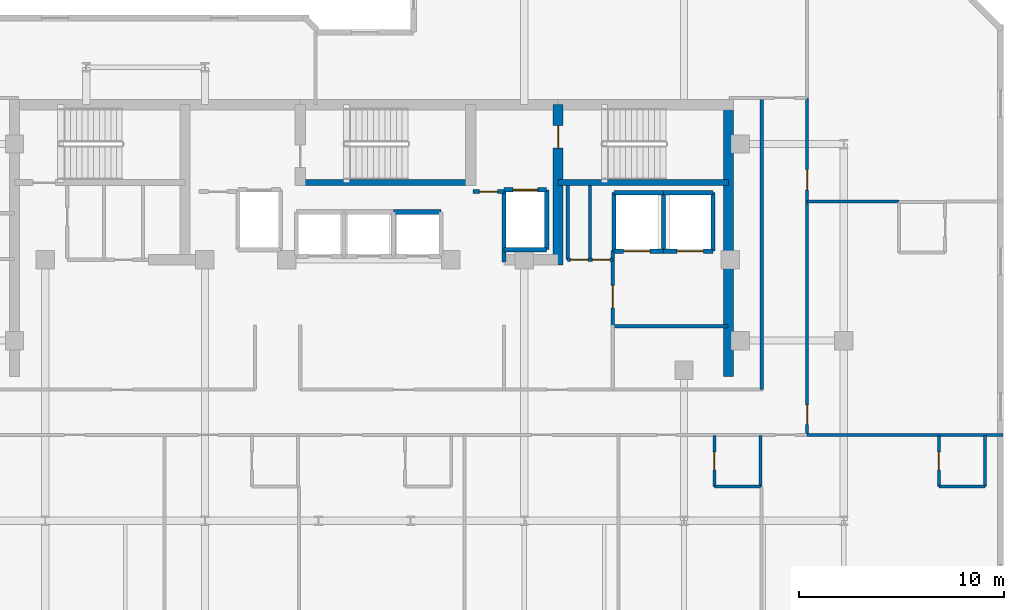
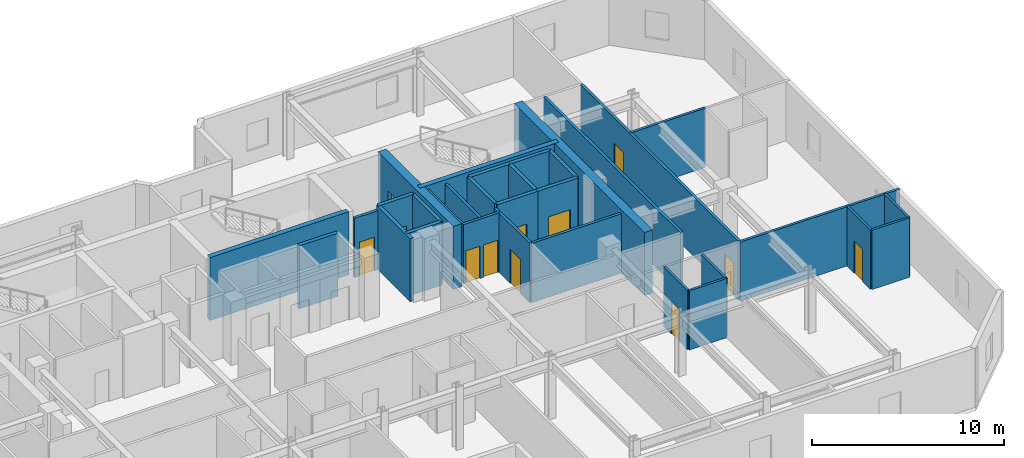
# One storey, part 6 of 10: 32 walls, 12 doors, 12 openings.
"""IFC4 building model written with IfcOpenShell, lengths in metres."""

from ifc_helpers import new_model, si_unit, direction, frame, frame_2d, origin, place, context, subcontext, project, spatial, rectangle, extrude, material, layer, layer_set, type_object, element, fill, save


model = new_model("IFC4")

# Units and contexts
model_context = context("Model", 3, precision=1e-05, world=origin(), true_north=direction((0.0, 1.0)))
body_context = subcontext(model_context, "Body", "Model", "MODEL_VIEW")
ifc_project = project(units=[si_unit("LENGTHUNIT", "METRE"), si_unit("AREAUNIT", "SQUARE_METRE"), si_unit("VOLUMEUNIT", "CUBIC_METRE"), si_unit("PLANEANGLEUNIT", "RADIAN"), si_unit("MASSUNIT", "GRAM", prefix="KILO")], contexts=[model_context])

# Site, building, storey
site_placement = place(None, origin())
site = spatial("IfcSite", under=ifc_project, at=site_placement, CompositionType="ELEMENT")
building_placement = place(site_placement, origin())
building = spatial("IfcBuilding", under=site, at=building_placement, Name="Kestravale Grand Hotel", CompositionType="ELEMENT")
storey_placement = place(building_placement, frame((0.0, 0.0, 273.39990234375)))
storey = spatial("IfcBuildingStorey", under=building, at=storey_placement, Name="L68", CompositionType="ELEMENT", Elevation=273.39990234375)

# Wall
ifc_material_1 = material(Name="Concrete f'c 50 MPa", Category="concrete")
ifc_layer_1 = layer(ifc_material_1, 0.5)
ifc_layer_set_1 = layer_set([ifc_layer_1], Name="EW-CORE-500")
wall_type_1 = type_object("IfcWallType", Name="EW-CORE-500", PredefinedType="SHEAR", material=ifc_layer_set_1)
wall_1_placement = place(storey_placement, frame((56.77001953125, 27.050048828125, 0.0), z_axis=(0.0, 0.0, 1.0), x_axis=(0.0, 1.0, 0.0)))
element("IfcWall", 1, at=wall_1_placement, inside=storey, type_object=wall_type_1, Name="L68 core shear wall E1", PredefinedType="SHEAR", context=body_context, shape_type="SweptSolid", body=[
    extrude(rectangle(XDim=13.52001953125, YDim=0.5, at=frame_2d((6.760009765625, 0.0))), origin(), (0.0, 0.0, 1.0), 4.0),
])

# Wall, opening, door
wall_2_placement = place(storey_placement, frame((48.449951171875, 32.5, 0.0), z_axis=(0.0, 0.0, 1.0), x_axis=(0.0, 1.0, 0.0)))
wall_2 = element("IfcWall", 2, at=wall_2_placement, inside=storey, type_object=wall_type_1, Name="L68 core shear wall X4", PredefinedType="SHEAR", context=body_context, shape_type="SweptSolid", body=[
    extrude(rectangle(XDim=7.820068359375, YDim=0.5, at=frame_2d((3.91015625, 0.0))), origin(), (0.0, 0.0, 1.0), 4.0),
])
opening_1_placement = place(wall_2_placement, frame((5.699951171875, 0.0, 0.0)))
opening_1 = element("IfcOpeningElement", 3, at=opening_1_placement, cuts=wall_2, Name="Opening D-ST-1100", PredefinedType="OPENING", context=body_context, shape_type="SweptSolid", body=[
    extrude(rectangle(XDim=1.10009765625, YDim=2.14990234375, at=frame_2d((0.550048828125, 1.074951171875))), frame((0.0, 0.260009765625, 0.0), z_axis=(0.0, -1.0, 0.0), x_axis=(1.0, 0.0, 0.0)), (0.0, 0.0, 1.0), 0.52001953125),
])
ifc_material_2 = material(Name="Galvanised 90-minute fire-rated steel stair door", Category="steel")
door_type_1 = type_object("IfcDoorType", Name="D-ST-1100", OperationType="NOTDEFINED", PredefinedType="DOOR", material=ifc_material_2)
door_1_placement = place(opening_1_placement, origin())
door_1 = element("IfcDoor", 4, at=door_1_placement, inside=storey, type_object=door_type_1, Name="L68 Stair ST-3 FSAE fire door", OperationType="SINGLE_SWING_RIGHT", OverallHeight=2.14990234375, OverallWidth=1.10009765625, PredefinedType="DOOR", context=body_context, shape_type="SweptSolid", body=[
    extrude(rectangle(XDim=1.10009765625, YDim=2.14990234375, at=frame_2d((0.550048828125, 1.074951171875))), frame((0.0, 0.02490234375, 0.0), z_axis=(0.0, -1.0, 0.0), x_axis=(1.0, 0.0, 0.0)), (0.0, 0.0, 1.0), 0.050048828125),
])
fill(opening_1, door_1)

# Walls
ifc_material_3 = material(Name="Concrete f'c 45 MPa", Category="concrete")
ifc_layer_2 = layer(ifc_material_3, 0.300048828125)
ifc_layer_set_2 = layer_set([ifc_layer_2], Name="EW-STAIR-300")
wall_type_2 = type_object("IfcWallType", Name="EW-STAIR-300", PredefinedType="SHEAR", material=ifc_layer_set_2)
wall_3_placement = place(storey_placement, frame((35.85009765625, 36.52001953125, 0.0), z_axis=(0.0, 0.0, 1.0), x_axis=(1.0, 0.0, 0.0)))
element("IfcWall", 5, at=wall_3_placement, inside=storey, type_object=wall_type_2, Name="L68 stair enclosure shear wall SST2", PredefinedType="SHEAR", context=body_context, shape_type="SweptSolid", body=[
    extrude(rectangle(XDim=8.329833984375, YDim=0.300048828125, at=frame_2d((4.1650390625, 0.0))), origin(), (0.0, 0.0, 1.0), 4.0),
])
wall_4_placement = place(storey_placement, frame((48.449951171875, 36.52001953125, 0.0), z_axis=(0.0, 0.0, 1.0), x_axis=(1.0, 0.0, 0.0)))
element("IfcWall", 6, at=wall_4_placement, inside=storey, type_object=wall_type_2, Name="L68 stair enclosure shear wall SST3", PredefinedType="SHEAR", context=body_context, shape_type="SweptSolid", body=[
    extrude(rectangle(XDim=8.320068359375, YDim=0.300048828125, at=frame_2d((4.16015625, 0.0))), origin(), (0.0, 0.0, 1.0), 4.0),
])

# Wall, opening, door
ifc_material_4 = material(Name="Acoustic fire-rated gypsum board partition", Category="other")
ifc_layer_3 = layer(ifc_material_4, 0.159912109375)
ifc_layer_set_3 = layer_set([ifc_layer_3], Name="IW-CORR-160")
wall_type_3 = type_object("IfcWallType", Name="IW-CORR-160", PredefinedType="PARTITIONING", material=ifc_layer_set_3)
wall_5_placement = place(storey_placement, frame((51.1201171875, 29.5, 0.0), z_axis=(0.0, 0.0, 1.0), x_axis=(0.0, 1.0, 0.0)))
wall_5 = element("IfcWall", 7, at=wall_5_placement, inside=storey, type_object=wall_type_3, Name="W-L68-SVCLOB-W", PredefinedType="PARTITIONING", context=body_context, shape_type="SweptSolid", body=[
    extrude(rectangle(XDim=3.699951171875, YDim=0.159912109375, at=frame_2d((1.85009765625, 0.0))), origin(), (0.0, 0.0, 1.0), 3.760009765625),
])
opening_2_placement = place(wall_5_placement, frame((0.89990234375, 0.0, 0.0)))
opening_2 = element("IfcOpeningElement", 8, at=opening_2_placement, cuts=wall_5, Name="Opening D-CORR-1100", PredefinedType="OPENING", context=body_context, shape_type="SweptSolid", body=[
    extrude(rectangle(XDim=1.10009765625, YDim=2.14990234375, at=frame_2d((0.550048828125, 1.074951171875))), frame((0.0, 0.08984375, 0.0), z_axis=(0.0, -1.0, 0.0), x_axis=(1.0, 0.0, 0.0)), (0.0, 0.0, 1.0), 0.179931640625),
])
ifc_material_5 = material(Name="Single-leaf service vestibule fire door", Category="steel")
door_type_2 = type_object("IfcDoorType", Name="D-CORR-1100", OperationType="NOTDEFINED", PredefinedType="DOOR", material=ifc_material_5)
door_2_placement = place(opening_2_placement, origin())
door_2 = element("IfcDoor", 9, at=door_2_placement, inside=storey, type_object=door_type_2, Name="L68 service lift lobby door", OperationType="SINGLE_SWING_LEFT", OverallHeight=2.14990234375, OverallWidth=1.10009765625, PredefinedType="DOOR", context=body_context, shape_type="SweptSolid", body=[
    extrude(rectangle(XDim=1.10009765625, YDim=2.14990234375, at=frame_2d((0.550048828125, 1.074951171875))), frame((0.0, 0.02490234375, 0.0), z_axis=(0.0, -1.0, 0.0), x_axis=(1.0, 0.0, 0.0)), (0.0, 0.0, 1.0), 0.050048828125),
])
fill(opening_2, door_2)

# Wall
wall_6_placement = place(storey_placement, frame((51.1201171875, 29.5, 0.0), z_axis=(0.0, 0.0, 1.0), x_axis=(1.0, 0.0, 0.0)))
element("IfcWall", 10, at=wall_6_placement, inside=storey, type_object=wall_type_3, Name="L68 service lift lobby wall", PredefinedType="PARTITIONING", context=body_context, shape_type="SweptSolid", body=[
    extrude(rectangle(XDim=5.6298828125, YDim=0.159912109375, at=frame_2d((2.81494140625, 0.0))), origin(), (0.0, 0.0, 1.0), 3.760009765625),
])

# Wall, openings, doors
wall_7_placement = place(storey_placement, frame((48.919921875, 32.75, 0.0), z_axis=(0.0, 0.0, 1.0), x_axis=(1.0, 0.0, 0.0)))
wall_7 = element("IfcWall", 11, at=wall_7_placement, inside=storey, type_object=wall_type_3, Name="W-L68-CES", PredefinedType="PARTITIONING", context=body_context, shape_type="SweptSolid", body=[
    extrude(rectangle(XDim=2.2001953125, YDim=0.159912109375, at=frame_2d((1.10009765625, 0.0))), origin(), (0.0, 0.0, 1.0), 3.760009765625),
])
opening_3_placement = place(wall_7_placement, frame((0.139892578125, 0.0, 0.0)))
opening_3 = element("IfcOpeningElement", 12, at=opening_3_placement, cuts=wall_7, Name="Opening D-SH-860", PredefinedType="OPENING", context=body_context, shape_type="SweptSolid", body=[
    extrude(rectangle(XDim=0.860107421875, YDim=2.050048828125, at=frame_2d((0.43017578125, 1.02490234375))), frame((0.0, 0.08984375, 0.0), z_axis=(0.0, -1.0, 0.0), x_axis=(1.0, 0.0, 0.0)), (0.0, 0.0, 1.0), 0.179931640625),
])
opening_4_placement = place(wall_7_placement, frame((1.199951171875, 0.0, 0.0)))
opening_4 = element("IfcOpeningElement", 13, at=opening_4_placement, cuts=wall_7, Name="Opening D-SH-860", PredefinedType="OPENING", context=body_context, shape_type="SweptSolid", body=[
    extrude(rectangle(XDim=0.860107421875, YDim=2.050048828125, at=frame_2d((0.43017578125, 1.02490234375))), frame((0.0, 0.08984375, 0.0), z_axis=(0.0, -1.0, 0.0), x_axis=(1.0, 0.0, 0.0)), (0.0, 0.0, 1.0), 0.179931640625),
])
ifc_material_6 = material(Name="Galvanised 90-minute riser fire door", Category="steel")
door_type_3 = type_object("IfcDoorType", Name="D-SH-860", OperationType="NOTDEFINED", PredefinedType="DOOR", material=ifc_material_6)
door_3_placement = place(opening_3_placement, origin())
door_3 = element("IfcDoor", 14, at=door_3_placement, inside=storey, type_object=door_type_3, Name="L68 CSTO1 door", OperationType="SINGLE_SWING_LEFT", OverallHeight=2.050048828125, OverallWidth=0.860107421875, PredefinedType="DOOR", context=body_context, shape_type="SweptSolid", body=[
    extrude(rectangle(XDim=0.860107421875, YDim=2.050048828125, at=frame_2d((0.43017578125, 1.02490234375))), frame((0.0, 0.02490234375, 0.0), z_axis=(0.0, -1.0, 0.0), x_axis=(1.0, 0.0, 0.0)), (0.0, 0.0, 1.0), 0.050048828125),
])
fill(opening_3, door_3)
door_4_placement = place(opening_4_placement, origin())
door_4 = element("IfcDoor", 15, at=door_4_placement, inside=storey, type_object=door_type_3, Name="L68 CSTO2 door", OperationType="SINGLE_SWING_RIGHT", OverallHeight=2.050048828125, OverallWidth=0.860107421875, PredefinedType="DOOR", context=body_context, shape_type="SweptSolid", body=[
    extrude(rectangle(XDim=0.860107421875, YDim=2.050048828125, at=frame_2d((0.43017578125, 1.02490234375))), frame((0.0, 0.02490234375, 0.0), z_axis=(0.0, -1.0, 0.0), x_axis=(1.0, 0.0, 0.0)), (0.0, 0.0, 1.0), 0.050048828125),
])
fill(opening_4, door_4)

wall_8_placement = place(storey_placement, frame((60.610107421875, 24.25, 0.0), z_axis=(0.0, 0.0, 1.0), x_axis=(0.0, 1.0, 0.0)))
wall_8 = element("IfcWall", 16, at=wall_8_placement, inside=storey, type_object=wall_type_3, Name="W-L68-SE-E", PredefinedType="PARTITIONING", context=body_context, shape_type="SweptSolid", body=[
    extrude(rectangle(XDim=16.39990234375, YDim=0.159912109375, at=frame_2d((8.199951171875, 0.0))), origin(), (0.0, 0.0, 1.0), 3.760009765625),
])
opening_5_placement = place(wall_8_placement, frame((0.4599609375, 0.0, 0.0)))
opening_5 = element("IfcOpeningElement", 17, at=opening_5_placement, cuts=wall_8, Name="Opening D-GUEST-950", PredefinedType="OPENING", context=body_context, shape_type="SweptSolid", body=[
    extrude(rectangle(XDim=0.949951171875, YDim=2.10009765625, at=frame_2d((0.47509765625, 1.050048828125))), frame((0.0, 0.08984375, 0.0), z_axis=(0.0, -1.0, 0.0), x_axis=(1.0, 0.0, 0.0)), (0.0, 0.0, 1.0), 0.179931640625),
])
opening_6_placement = place(wall_8_placement, frame((11.89990234375, 0.0, 0.0)))
opening_6 = element("IfcOpeningElement", 18, at=opening_6_placement, cuts=wall_8, Name="Opening D-GUEST-1000", PredefinedType="OPENING", context=body_context, shape_type="SweptSolid", body=[
    extrude(rectangle(XDim=1.0, YDim=2.14990234375, at=frame_2d((0.5, 1.074951171875))), frame((0.0, 0.08984375, 0.0), z_axis=(0.0, -1.0, 0.0), x_axis=(1.0, 0.0, 0.0)), (0.0, 0.0, 1.0), 0.179931640625),
])
ifc_material_7 = material(Name="Accessible walnut veneer hotel entrance fire door", Category="wood")
door_type_4 = type_object("IfcDoorType", Name="D-GUEST-1000", OperationType="NOTDEFINED", PredefinedType="DOOR", material=ifc_material_7)
door_5_placement = place(opening_6_placement, origin())
door_5 = element("IfcDoor", 19, at=door_5_placement, inside=storey, type_object=door_type_4, Name="D-L68-AMEW", OperationType="SINGLE_SWING_LEFT", OverallHeight=2.14990234375, OverallWidth=1.0, PredefinedType="DOOR", context=body_context, shape_type="SweptSolid", body=[
    extrude(rectangle(XDim=1.0, YDim=2.14990234375, at=frame_2d((0.5, 1.074951171875))), frame((0.0, 0.02490234375, 0.0), z_axis=(0.0, -1.0, 0.0), x_axis=(1.0, 0.0, 0.0)), (0.0, 0.0, 1.0), 0.050048828125),
])
fill(opening_6, door_5)
ifc_material_8 = material(Name="Walnut veneer hotel guestroom entrance fire door", Category="wood")
door_type_5 = type_object("IfcDoorType", Name="D-GUEST-950", OperationType="NOTDEFINED", PredefinedType="DOOR", material=ifc_material_8)
door_6_placement = place(opening_5_placement, origin())
door_6 = element("IfcDoor", 20, at=door_6_placement, inside=storey, type_object=door_type_5, Name="D-L68-U08-ENT", OperationType="SINGLE_SWING_RIGHT", OverallHeight=2.10009765625, OverallWidth=0.949951171875, PredefinedType="DOOR", context=body_context, shape_type="SweptSolid", body=[
    extrude(rectangle(XDim=0.949951171875, YDim=2.10009765625, at=frame_2d((0.47509765625, 1.050048828125))), frame((0.0, 0.02490234375, 0.0), z_axis=(0.0, -1.0, 0.0), x_axis=(1.0, 0.0, 0.0)), (0.0, 0.0, 1.0), 0.050048828125),
])
fill(opening_5, door_6)

# Wall
wall_9_placement = place(storey_placement, frame((58.389892578125, 26.409912109375, 0.0), z_axis=(0.0, 0.0, 1.0), x_axis=(0.0, 1.0, 0.0)))
element("IfcWall", 21, at=wall_9_placement, inside=storey, type_object=wall_type_3, Name="W-L68-SE-WU", PredefinedType="PARTITIONING", context=body_context, shape_type="SweptSolid", body=[
    extrude(rectangle(XDim=14.239990234375, YDim=0.159912109375, at=frame_2d((7.1201171875, 0.0))), origin(), (0.0, 0.0, 1.0), 3.760009765625),
])

# Wall, opening, door
ifc_material_9 = material(Name="Fire-rated gypsum board on steel studs with mineral wool", Category="steel")
ifc_layer_4 = layer(ifc_material_9, 0.179931640625)
ifc_layer_set_4 = layer_set([ifc_layer_4], Name="IW-FSAE-180")
wall_type_4 = type_object("IfcWallType", Name="IW-FSAE-180", PredefinedType="PARTITIONING", material=ifc_layer_set_4)
wall_10_placement = place(storey_placement, frame((44.300048828125, 36.080078125, 0.0), z_axis=(0.0, 0.0, 1.0), x_axis=(1.0, 0.0, 0.0)))
wall_10 = element("IfcWall", 22, at=wall_10_placement, inside=storey, type_object=wall_type_4, Name="L68 FSAE Lobby 2 smoke barrier", PredefinedType="PARTITIONING", context=body_context, shape_type="SweptSolid", body=[
    extrude(rectangle(XDim=1.5, YDim=0.179931640625, at=frame_2d((0.75, 0.0))), origin(), (0.0, 0.0, 1.0), 3.760009765625),
])
opening_7_placement = place(wall_10_placement, frame((0.300048828125, 0.0, 0.0)))
opening_7 = element("IfcOpeningElement", 23, at=opening_7_placement, cuts=wall_10, Name="Opening D-FSAE-1000", PredefinedType="OPENING", context=body_context, shape_type="SweptSolid", body=[
    extrude(rectangle(XDim=0.89990234375, YDim=2.14990234375, at=frame_2d((0.449951171875, 1.074951171875))), frame((0.0, 0.099853515625, 0.0), z_axis=(0.0, -1.0, 0.0), x_axis=(1.0, 0.0, 0.0)), (0.0, 0.0, 1.0), 0.199951171875),
])
ifc_material_10 = material(Name="Smoke-gasketed FSAE lobby fire door", Category="steel")
door_type_6 = type_object("IfcDoorType", Name="D-FSAE-1000", OperationType="NOTDEFINED", PredefinedType="DOOR", material=ifc_material_10)
door_7_placement = place(opening_7_placement, origin())
door_7 = element("IfcDoor", 24, at=door_7_placement, inside=storey, type_object=door_type_6, Name="L68 FSAE Lobby 2 fire door", OperationType="SINGLE_SWING_LEFT", OverallHeight=2.14990234375, OverallWidth=0.89990234375, PredefinedType="DOOR", context=body_context, shape_type="SweptSolid", body=[
    extrude(rectangle(XDim=0.89990234375, YDim=2.14990234375, at=frame_2d((0.449951171875, 1.074951171875))), frame((0.0, 0.02490234375, 0.0), z_axis=(0.0, -1.0, 0.0), x_axis=(1.0, 0.0, 0.0)), (0.0, 0.0, 1.0), 0.050048828125),
])
fill(opening_7, door_7)

ifc_material_11 = material(Name="Moisture-resistant tile-backer plumbing chase wall", Category="other")
ifc_layer_5 = layer(ifc_material_11, 0.139892578125)
ifc_layer_set_5 = layer_set([ifc_layer_5], Name="IW-PLB-140")
wall_type_5 = type_object("IfcWallType", Name="IW-PLB-140", PredefinedType="PLUMBINGWALL", material=ifc_layer_set_5)
wall_11_placement = place(storey_placement, frame((56.080078125, 21.679931640625, 0.0), z_axis=(0.0, 0.0, 1.0), x_axis=(0.0, 1.0, 0.0)))
wall_11 = element("IfcWall", 25, at=wall_11_placement, inside=storey, type_object=wall_type_5, Name="W-L68-U03-BW", PredefinedType="PLUMBINGWALL", context=body_context, shape_type="SweptSolid", body=[
    extrude(rectangle(XDim=2.489990234375, YDim=0.139892578125, at=frame_2d((1.2451171875, 0.0))), origin(), (0.0, 0.0, 1.0), 3.760009765625),
])
opening_8_placement = place(wall_11_placement, frame((0.804931640625, 0.0, 0.0)))
opening_8 = element("IfcOpeningElement", 26, at=opening_8_placement, cuts=wall_11, Name="Opening D-BATH-880", PredefinedType="OPENING", context=body_context, shape_type="SweptSolid", body=[
    extrude(rectangle(XDim=0.8798828125, YDim=2.050048828125, at=frame_2d((0.43994140625, 1.02490234375))), frame((0.0, 0.079833984375, 0.0), z_axis=(0.0, -1.0, 0.0), x_axis=(1.0, 0.0, 0.0)), (0.0, 0.0, 1.0), 0.159912109375),
])
ifc_material_12 = material(Name="Moisture-sealed walnut en-suite bathroom door", Category="wood")
door_type_7 = type_object("IfcDoorType", Name="D-BATH-880", OperationType="NOTDEFINED", PredefinedType="DOOR", material=ifc_material_12)
door_8_placement = place(opening_8_placement, origin())
door_8 = element("IfcDoor", 27, at=door_8_placement, inside=storey, type_object=door_type_7, Name="D-L68-U03-BATH", OperationType="SINGLE_SWING_RIGHT", OverallHeight=2.050048828125, OverallWidth=0.8798828125, PredefinedType="DOOR", context=body_context, shape_type="SweptSolid", body=[
    extrude(rectangle(XDim=0.8798828125, YDim=2.050048828125, at=frame_2d((0.43994140625, 1.02490234375))), frame((0.0, 0.02490234375, 0.0), z_axis=(0.0, -1.0, 0.0), x_axis=(1.0, 0.0, 0.0)), (0.0, 0.0, 1.0), 0.050048828125),
])
fill(opening_8, door_8)

# Walls
wall_12_placement = place(storey_placement, frame((58.330078125, 21.679931640625, 0.0), z_axis=(0.0, 0.0, 1.0), x_axis=(0.0, 1.0, 0.0)))
element("IfcWall", 28, at=wall_12_placement, inside=storey, type_object=wall_type_5, Name="W-L68-U03-BE", PredefinedType="PLUMBINGWALL", context=body_context, shape_type="SweptSolid", body=[
    extrude(rectangle(XDim=2.489990234375, YDim=0.139892578125, at=frame_2d((1.2451171875, 0.0))), origin(), (0.0, 0.0, 1.0), 3.760009765625),
])
wall_13_placement = place(storey_placement, frame((56.080078125, 21.679931640625, 0.0), z_axis=(0.0, 0.0, 1.0), x_axis=(1.0, 0.0, 0.0)))
element("IfcWall", 29, at=wall_13_placement, inside=storey, type_object=wall_type_5, Name="W-L68-U03-BS", PredefinedType="PLUMBINGWALL", context=body_context, shape_type="SweptSolid", body=[
    extrude(rectangle(XDim=2.25, YDim=0.139892578125, at=frame_2d((1.125, 0.0))), origin(), (0.0, 0.0, 1.0), 3.760009765625),
])

# Wall, opening, door
wall_14_placement = place(storey_placement, frame((67.050048828125, 21.679931640625, 0.0), z_axis=(0.0, 0.0, 1.0), x_axis=(0.0, 1.0, 0.0)))
wall_14 = element("IfcWall", 30, at=wall_14_placement, inside=storey, type_object=wall_type_5, Name="W-L68-U07-BW", PredefinedType="PLUMBINGWALL", context=body_context, shape_type="SweptSolid", body=[
    extrude(rectangle(XDim=2.489990234375, YDim=0.139892578125, at=frame_2d((1.2451171875, 0.0))), origin(), (0.0, 0.0, 1.0), 3.760009765625),
])
opening_9_placement = place(wall_14_placement, frame((0.804931640625, 0.0, 0.0)))
opening_9 = element("IfcOpeningElement", 31, at=opening_9_placement, cuts=wall_14, Name="Opening D-BATH-880", PredefinedType="OPENING", context=body_context, shape_type="SweptSolid", body=[
    extrude(rectangle(XDim=0.8798828125, YDim=2.050048828125, at=frame_2d((0.43994140625, 1.02490234375))), frame((0.0, 0.079833984375, 0.0), z_axis=(0.0, -1.0, 0.0), x_axis=(1.0, 0.0, 0.0)), (0.0, 0.0, 1.0), 0.159912109375),
])
door_9_placement = place(opening_9_placement, origin())
door_9 = element("IfcDoor", 32, at=door_9_placement, inside=storey, type_object=door_type_7, Name="D-L68-U07-BATH", OperationType="SINGLE_SWING_LEFT", OverallHeight=2.050048828125, OverallWidth=0.8798828125, PredefinedType="DOOR", context=body_context, shape_type="SweptSolid", body=[
    extrude(rectangle(XDim=0.8798828125, YDim=2.050048828125, at=frame_2d((0.43994140625, 1.02490234375))), frame((0.0, 0.02490234375, 0.0), z_axis=(0.0, -1.0, 0.0), x_axis=(1.0, 0.0, 0.0)), (0.0, 0.0, 1.0), 0.050048828125),
])
fill(opening_9, door_9)

# Walls
wall_15_placement = place(storey_placement, frame((69.300048828125, 21.679931640625, 0.0), z_axis=(0.0, 0.0, 1.0), x_axis=(0.0, 1.0, 0.0)))
element("IfcWall", 33, at=wall_15_placement, inside=storey, type_object=wall_type_5, Name="W-L68-U07-BE", PredefinedType="PLUMBINGWALL", context=body_context, shape_type="SweptSolid", body=[
    extrude(rectangle(XDim=2.489990234375, YDim=0.139892578125, at=frame_2d((1.2451171875, 0.0))), origin(), (0.0, 0.0, 1.0), 3.760009765625),
])
wall_16_placement = place(storey_placement, frame((67.050048828125, 21.679931640625, 0.0), z_axis=(0.0, 0.0, 1.0), x_axis=(1.0, 0.0, 0.0)))
element("IfcWall", 34, at=wall_16_placement, inside=storey, type_object=wall_type_5, Name="W-L68-U07-BS", PredefinedType="PLUMBINGWALL", context=body_context, shape_type="SweptSolid", body=[
    extrude(rectangle(XDim=2.25, YDim=0.139892578125, at=frame_2d((1.125, 0.0))), origin(), (0.0, 0.0, 1.0), 3.760009765625),
])
ifc_material_13 = material(Name="Concrete f'c 45 MPa", Category="concrete")
ifc_layer_6 = layer(ifc_material_13, 0.199951171875)
ifc_layer_set_6 = layer_set([ifc_layer_6], Name="IW-SHAFT-200")
wall_type_6 = type_object("IfcWallType", Name="IW-SHAFT-200", PredefinedType="SHEAR", material=ifc_layer_set_6)
for number, where, z_axis, x_axis, name in (
    (35, (51.179931640625, 33.169921875, 0.0), (0.0, 0.0, 1.0), (0.0, 1.0, 0.0), "L68 SL-1 west shaft wall"),
    (36, (53.60009765625, 33.169921875, 0.0), (0.0, 0.0, 1.0), (0.0, 1.0, 0.0), "L68 SL-2 west shaft wall"),
    (37, (56.02001953125, 33.169921875, 0.0), (0.0, 0.0, 1.0), (0.0, 1.0, 0.0), "L68 SL-2 east shaft wall"),
):
    element("IfcWall", number, at=place(storey_placement, frame(where, z_axis=z_axis, x_axis=x_axis)), inside=storey, type_object=wall_type_6, Name=name, PredefinedType="SHEAR", context=body_context, shape_type="SweptSolid", body=[
        extrude(rectangle(XDim=2.860107421875, YDim=0.199951171875, at=frame_2d((1.43017578125, 0.0))), origin(), (0.0, 0.0, 1.0), 4.0),
    ])
wall_17_placement = place(storey_placement, frame((45.804931640625, 32.64990234375, 0.0), z_axis=(0.0, 0.0, 1.0), x_axis=(0.0, 1.0, 0.0)))
element("IfcWall", 38, at=wall_17_placement, inside=storey, type_object=wall_type_6, Name="L68 FL-2 west shaft wall", PredefinedType="SHEAR", context=body_context, shape_type="SweptSolid", body=[
    extrude(rectangle(XDim=3.505126953125, YDim=0.199951171875, at=frame_2d((1.75244140625, 0.0))), origin(), (0.0, 0.0, 1.0), 4.0),
])
wall_18_placement = place(storey_placement, frame((47.89501953125, 33.2451171875, 0.0), z_axis=(0.0, 0.0, 1.0), x_axis=(0.0, 1.0, 0.0)))
element("IfcWall", 39, at=wall_18_placement, inside=storey, type_object=wall_type_6, Name="L68 FL-2 east shaft wall", PredefinedType="SHEAR", context=body_context, shape_type="SweptSolid", body=[
    extrude(rectangle(XDim=2.909912109375, YDim=0.199951171875, at=frame_2d((1.455078125, 0.0))), origin(), (0.0, 0.0, 1.0), 4.0),
])
ifc_material_14 = material(Name="Concrete f'c 45 MPa", Category="concrete")
ifc_layer_7 = layer(ifc_material_14, 0.219970703125)
ifc_layer_set_7 = layer_set([ifc_layer_7], Name="IW-SHAFT-220")
wall_type_7 = type_object("IfcWallType", Name="IW-SHAFT-220", PredefinedType="SHEAR", material=ifc_layer_set_7)
wall_19_placement = place(storey_placement, frame((40.39990234375, 35.080078125, 0.0), z_axis=(0.0, 0.0, 1.0), x_axis=(1.0, 0.0, 0.0)))
element("IfcWall", 40, at=wall_19_placement, inside=storey, type_object=wall_type_7, Name="L68 PL-X3 north shaft wall", PredefinedType="SHEAR", context=body_context, shape_type="SweptSolid", body=[
    extrude(rectangle(XDim=2.320068359375, YDim=0.219970703125, at=frame_2d((1.16015625, 0.0))), origin(), (0.0, 0.0, 1.0), 4.0),
])
wall_20_placement = place(storey_placement, frame((51.179931640625, 36.030029296875, 0.0), z_axis=(0.0, 0.0, 1.0), x_axis=(1.0, 0.0, 0.0)))
element("IfcWall", 41, at=wall_20_placement, inside=storey, type_object=wall_type_7, Name="L68 SL-1 north shaft wall", PredefinedType="SHEAR", context=body_context, shape_type="SweptSolid", body=[
    extrude(rectangle(XDim=2.420166015625, YDim=0.219970703125, at=frame_2d((1.2099609375, 0.0))), origin(), (0.0, 0.0, 1.0), 4.0),
])

# Wall, opening, door
wall_21_placement = place(storey_placement, frame((51.179931640625, 33.169921875, 0.0), z_axis=(0.0, 0.0, 1.0), x_axis=(1.0, 0.0, 0.0)))
wall_21 = element("IfcWall", 42, at=wall_21_placement, inside=storey, type_object=wall_type_7, Name="L68 SL-1 south shaft wall", PredefinedType="SHEAR", context=body_context, shape_type="SweptSolid", body=[
    extrude(rectangle(XDim=2.420166015625, YDim=0.219970703125, at=frame_2d((1.2099609375, 0.0))), origin(), (0.0, 0.0, 1.0), 4.0),
])
opening_10_placement = place(wall_21_placement, frame((0.469970703125, 0.0, 0.0)))
opening_10 = element("IfcOpeningElement", 43, at=opening_10_placement, cuts=wall_21, Name="Opening LD-SVC-1300", PredefinedType="OPENING", context=body_context, shape_type="SweptSolid", body=[
    extrude(rectangle(XDim=1.300048828125, YDim=2.14990234375, at=frame_2d((0.64990234375, 1.074951171875))), frame((0.0, 0.119873046875, 0.0), z_axis=(0.0, -1.0, 0.0), x_axis=(1.0, 0.0, 0.0)), (0.0, 0.0, 1.0), 0.239990234375),
])
ifc_material_15 = material(Name="Heavy-duty service sliding elevator landing door", Category="steel")
door_type_8 = type_object("IfcDoorType", Name="LD-SVC-1300", OperationType="NOTDEFINED", PredefinedType="DOOR", material=ifc_material_15)
door_10_placement = place(opening_10_placement, origin())
door_10 = element("IfcDoor", 44, at=door_10_placement, inside=storey, type_object=door_type_8, Name="L68 SL-1 elevator landing sliding door", OperationType="DOUBLE_DOOR_SLIDING", OverallHeight=2.14990234375, OverallWidth=1.300048828125, PredefinedType="DOOR", context=body_context, shape_type="SweptSolid", body=[
    extrude(rectangle(XDim=1.300048828125, YDim=2.14990234375, at=frame_2d((0.64990234375, 1.074951171875))), frame((0.0, 0.02490234375, 0.0), z_axis=(0.0, -1.0, 0.0), x_axis=(1.0, 0.0, 0.0)), (0.0, 0.0, 1.0), 0.050048828125),
])
fill(opening_10, door_10)

# Wall
wall_22_placement = place(storey_placement, frame((53.60009765625, 36.030029296875, 0.0), z_axis=(0.0, 0.0, 1.0), x_axis=(1.0, 0.0, 0.0)))
element("IfcWall", 45, at=wall_22_placement, inside=storey, type_object=wall_type_7, Name="L68 SL-2 north shaft wall", PredefinedType="SHEAR", context=body_context, shape_type="SweptSolid", body=[
    extrude(rectangle(XDim=2.419921875, YDim=0.219970703125, at=frame_2d((1.2099609375, 0.0))), origin(), (0.0, 0.0, 1.0), 4.0),
])

# Wall, opening, door
wall_23_placement = place(storey_placement, frame((53.60009765625, 33.169921875, 0.0), z_axis=(0.0, 0.0, 1.0), x_axis=(1.0, 0.0, 0.0)))
wall_23 = element("IfcWall", 46, at=wall_23_placement, inside=storey, type_object=wall_type_7, Name="L68 SL-2 south shaft wall", PredefinedType="SHEAR", context=body_context, shape_type="SweptSolid", body=[
    extrude(rectangle(XDim=2.419921875, YDim=0.219970703125, at=frame_2d((1.2099609375, 0.0))), origin(), (0.0, 0.0, 1.0), 4.0),
])
opening_11_placement = place(wall_23_placement, frame((0.64990234375, 0.0, 0.0)))
opening_11 = element("IfcOpeningElement", 47, at=opening_11_placement, cuts=wall_23, Name="Opening LD-SVC-1300", PredefinedType="OPENING", context=body_context, shape_type="SweptSolid", body=[
    extrude(rectangle(XDim=1.300048828125, YDim=2.14990234375, at=frame_2d((0.64990234375, 1.074951171875))), frame((0.0, 0.119873046875, 0.0), z_axis=(0.0, -1.0, 0.0), x_axis=(1.0, 0.0, 0.0)), (0.0, 0.0, 1.0), 0.239990234375),
])
door_11_placement = place(opening_11_placement, origin())
door_11 = element("IfcDoor", 48, at=door_11_placement, inside=storey, type_object=door_type_8, Name="L68 SL-2 elevator landing sliding door", OperationType="DOUBLE_DOOR_SLIDING", OverallHeight=2.14990234375, OverallWidth=1.300048828125, PredefinedType="DOOR", context=body_context, shape_type="SweptSolid", body=[
    extrude(rectangle(XDim=1.300048828125, YDim=2.14990234375, at=frame_2d((0.64990234375, 1.074951171875))), frame((0.0, 0.02490234375, 0.0), z_axis=(0.0, -1.0, 0.0), x_axis=(1.0, 0.0, 0.0)), (0.0, 0.0, 1.0), 0.050048828125),
])
fill(opening_11, door_11)

wall_24_placement = place(storey_placement, frame((45.804931640625, 36.155029296875, 0.0), z_axis=(0.0, 0.0, 1.0), x_axis=(1.0, 0.0, 0.0)))
wall_24 = element("IfcWall", 49, at=wall_24_placement, inside=storey, type_object=wall_type_7, Name="L68 FL-2 north shaft wall", PredefinedType="SHEAR", context=body_context, shape_type="SweptSolid", body=[
    extrude(rectangle(XDim=2.090087890625, YDim=0.219970703125, at=frame_2d((1.044921875, 0.0))), origin(), (0.0, 0.0, 1.0), 4.0),
])
opening_12_placement = place(wall_24_placement, frame((0.445068359375, 0.0, 0.0)))
opening_12 = element("IfcOpeningElement", 50, at=opening_12_placement, cuts=wall_24, Name="Opening LD-FSAE-1200", PredefinedType="OPENING", context=body_context, shape_type="SweptSolid", body=[
    extrude(rectangle(XDim=1.199951171875, YDim=2.14990234375, at=frame_2d((0.60009765625, 1.074951171875))), frame((0.0, 0.119873046875, 0.0), z_axis=(0.0, -1.0, 0.0), x_axis=(1.0, 0.0, 0.0)), (0.0, 0.0, 1.0), 0.239990234375),
])
ifc_material_16 = material(Name="Stainless fire-service sliding elevator landing door", Category="steel")
door_type_9 = type_object("IfcDoorType", Name="LD-FSAE-1200", OperationType="NOTDEFINED", PredefinedType="DOOR", material=ifc_material_16)
door_12_placement = place(opening_12_placement, origin())
door_12 = element("IfcDoor", 51, at=door_12_placement, inside=storey, type_object=door_type_9, Name="L68 FL-2 elevator landing sliding door", OperationType="DOUBLE_DOOR_SLIDING", OverallHeight=2.14990234375, OverallWidth=1.199951171875, PredefinedType="DOOR", context=body_context, shape_type="SweptSolid", body=[
    extrude(rectangle(XDim=1.199951171875, YDim=2.14990234375, at=frame_2d((0.60009765625, 1.074951171875))), frame((0.0, 0.02490234375, 0.0), z_axis=(0.0, -1.0, 0.0), x_axis=(1.0, 0.0, 0.0)), (0.0, 0.0, 1.0), 0.050048828125),
])
fill(opening_12, door_12)

# Walls
wall_25_placement = place(storey_placement, frame((45.804931640625, 33.2451171875, 0.0), z_axis=(0.0, 0.0, 1.0), x_axis=(1.0, 0.0, 0.0)))
element("IfcWall", 52, at=wall_25_placement, inside=storey, type_object=wall_type_7, Name="L68 FL-2 south shaft wall", PredefinedType="SHEAR", context=body_context, shape_type="SweptSolid", body=[
    extrude(rectangle(XDim=2.090087890625, YDim=0.219970703125, at=frame_2d((1.044921875, 0.0))), origin(), (0.0, 0.0, 1.0), 4.0),
])
ifc_material_17 = material(Name="Double-stud STC 52 acoustic demising partition", Category="other")
ifc_layer_8 = layer(ifc_material_17, 0.14990234375)
ifc_layer_set_8 = layer_set([ifc_layer_8], Name="IW-UNIT-150")
wall_type_8 = type_object("IfcWallType", Name="IW-UNIT-150", PredefinedType="PARTITIONING", material=ifc_layer_set_8)
for number, where, z_axis, x_axis, name in (
    (53, (48.919921875, 32.75, 0.0), (0.0, 0.0, 1.0), (0.0, 1.0, 0.0), "W-L68-CEW"),
    (54, (50.010009765625, 32.75, 0.0), (0.0, 0.0, 1.0), (0.0, 1.0, 0.0), "W-L68-CC1-EM"),
):
    element("IfcWall", number, at=place(storey_placement, frame(where, z_axis=z_axis, x_axis=x_axis)), inside=storey, type_object=wall_type_8, Name=name, PredefinedType="PARTITIONING", context=body_context, shape_type="SweptSolid", body=[
        extrude(rectangle(XDim=3.6201171875, YDim=0.14990234375, at=frame_2d((1.81005859375, 0.0))), origin(), (0.0, 0.0, 1.0), 3.760009765625),
    ])
wall_26_placement = place(storey_placement, frame((60.610107421875, 24.18994140625, 0.0), z_axis=(0.0, 0.0, 1.0), x_axis=(1.0, 0.0, 0.0)))
element("IfcWall", 55, at=wall_26_placement, inside=storey, type_object=wall_type_8, Name="W-L68-SEC-N", PredefinedType="PARTITIONING", context=body_context, shape_type="SweptSolid", body=[
    extrude(rectangle(XDim=9.56982421875, YDim=0.14990234375, at=frame_2d((4.784912109375, 0.0))), origin(), (0.0, 0.0, 1.0), 3.760009765625),
])
wall_27_placement = place(storey_placement, frame((60.610107421875, 35.60009765625, 0.0), z_axis=(0.0, 0.0, 1.0), x_axis=(1.0, 0.0, 0.0)))
element("IfcWall", 56, at=wall_27_placement, inside=storey, type_object=wall_type_8, Name="W-L68-EW-1", PredefinedType="PARTITIONING", context=body_context, shape_type="SweptSolid", body=[
    extrude(rectangle(XDim=4.489990234375, YDim=0.14990234375, at=frame_2d((2.2451171875, 0.0))), origin(), (0.0, 0.0, 1.0), 3.760009765625),
])

save(model, "model.ifc")
